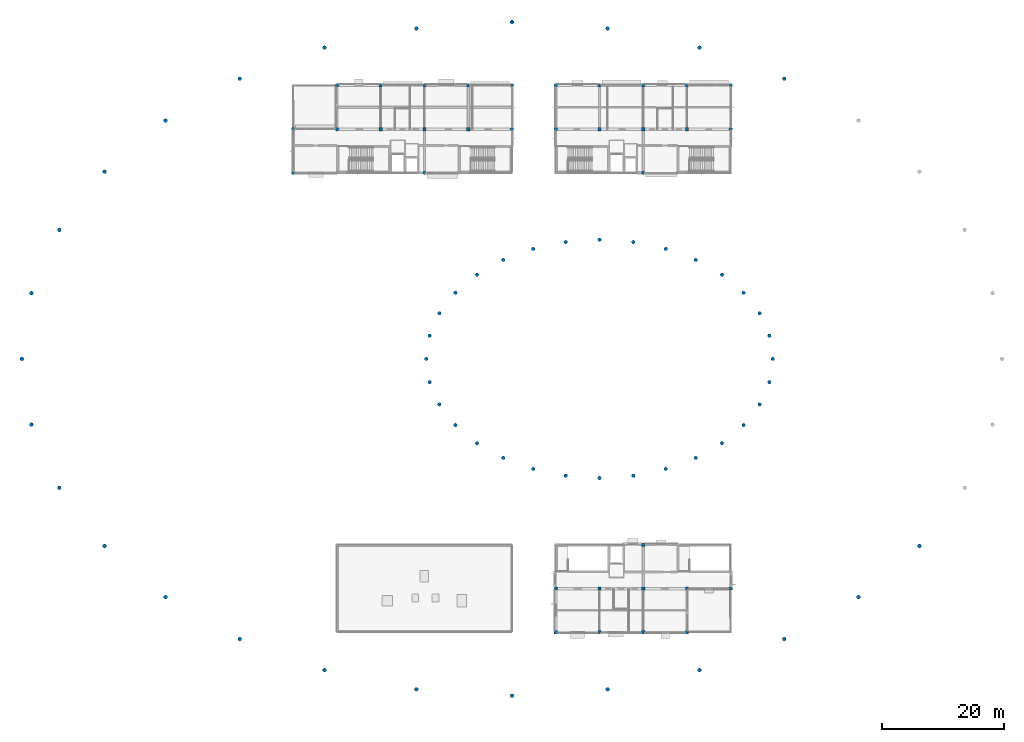
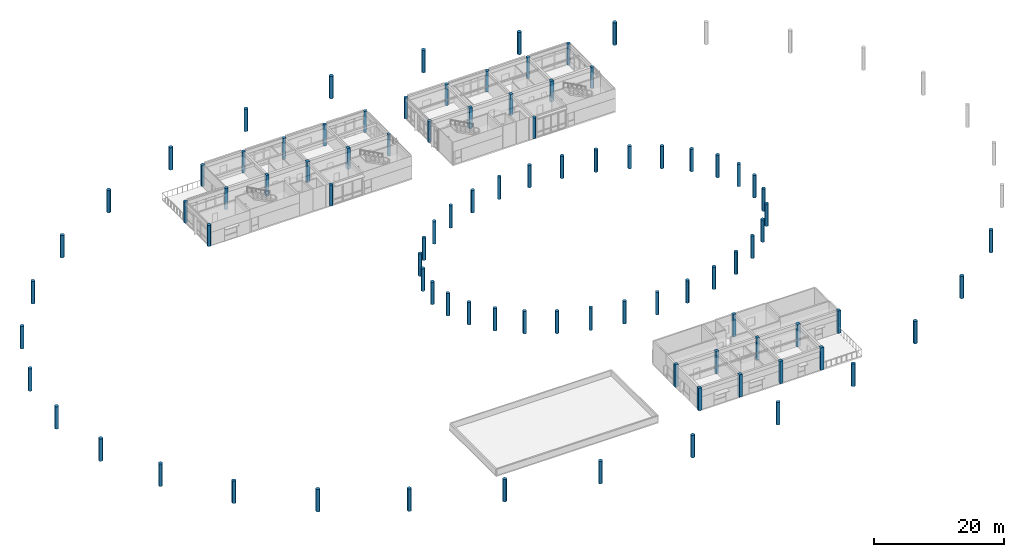
# One storey, part 1 of 29: 91 columns.
"""IFC4 building model written with IfcOpenShell, lengths in metres."""

from ifc_helpers import new_model, si_unit, direction, frame, origin, origin_2d, place, context, subcontext, project, spatial, rectangle, circle, extrude, material, material_profile, profile_set, type_object, element, save


model = new_model("IFC4")

# Units and contexts
model_context = context("Model", 3, precision=1e-05, world=origin(), true_north=direction((0.0, 1.0)))
body_context = subcontext(model_context, "Body", "Model", "MODEL_VIEW")
ifc_project = project(units=[si_unit("LENGTHUNIT", "METRE"), si_unit("AREAUNIT", "SQUARE_METRE"), si_unit("VOLUMEUNIT", "CUBIC_METRE"), si_unit("PLANEANGLEUNIT", "RADIAN"), si_unit("MASSUNIT", "GRAM", prefix="KILO")], contexts=[model_context])

# Site, building, storey
site_placement = place(None, origin())
site = spatial("IfcSite", under=ifc_project, at=site_placement, CompositionType="ELEMENT")
building_placement = place(site_placement, origin())
building = spatial("IfcBuilding", under=site, at=building_placement, Name="Namkhue Oval Health Centre", CompositionType="ELEMENT")
storey_placement = place(building_placement, frame((0.0, 0.0, 18.0)))
storey = spatial("IfcBuildingStorey", under=building, at=storey_placement, Name="L04", CompositionType="ELEMENT", Elevation=18.0)

# Columns
ifc_material = material(Name="Reinforced concrete C35/45 (TCVN B40)", Category="concrete")
ifc_material_profile_1 = material_profile(ifc_material, rectangle(XDim=0.550048828125, YDim=0.550048828125, at=origin_2d()), Name="RC 550x550")
ifc_profile_set_1 = profile_set([ifc_material_profile_1], Name="Reinforced concrete C35/45 (TCVN B40)")
column_type_1 = type_object("IfcColumnType", Name="RC COLUMN 550X550 EXT", PredefinedType="COLUMN", material=ifc_profile_set_1)
for number, where, z_axis, x_axis, name in (
    (1, (93.60009765625, 14.39990234375, 0.0), (0.0, 0.0, 1.0), (1.0, 0.0, 0.0), "Volume V5 L04 Column 14/C"),
    (2, (93.60009765625, 21.60009765625, 0.0), (0.0, 0.0, 1.0), (1.0, 0.0, 0.0), "Volume V5 L04 Column 14/D"),
    (3, (100.800048828125, 14.39990234375, 0.0), (0.0, 0.0, 1.0), (1.0, 0.0, 0.0), "Volume V5 L04 Column 15/C"),
    (4, (108.0, 14.39990234375, 0.0), (0.0, 0.0, 1.0), (1.0, 0.0, 0.0), "Volume V5 L04 Column 16/C"),
    (5, (108.0, 28.800048828125, 0.0), (0.0, 0.0, 1.0), (1.0, 0.0, 0.0), "Volume V5 L04 Column 16/E"),
    (6, (115.199951171875, 14.39990234375, 0.0), (0.0, 0.0, 1.0), (1.0, 0.0, 0.0), "Volume V5 L04 Column 17/C"),
    (7, (115.199951171875, 21.60009765625, 0.0), (0.0, 0.0, 1.0), (1.0, 0.0, 0.0), "Volume V5 L04 Column 17/D"),
    (8, (122.39990234375, 21.60009765625, 0.0), (0.0, 0.0, 1.0), (1.0, 0.0, 0.0), "Volume V5 L04 Column 18/D"),
):
    element("IfcColumn", number, at=place(storey_placement, frame(where, z_axis=z_axis, x_axis=x_axis)), inside=storey, type_object=column_type_1, Name=name, PredefinedType="COLUMN", context=body_context, shape_type="SweptSolid", body=[
        extrude(rectangle(XDim=0.550048828125, YDim=0.550048828125, at=origin_2d()), origin(), (0.0, 0.0, 1.0), 4.199951171875),
    ])
ifc_material_profile_2 = material_profile(ifc_material, rectangle(XDim=0.550048828125, YDim=0.550048828125, at=origin_2d()), Name="RC 550x550")
ifc_profile_set_2 = profile_set([ifc_material_profile_2], Name="Reinforced concrete C35/45 (TCVN B40)")
column_type_2 = type_object("IfcColumnType", Name="RC COLUMN 550X550 INT", PredefinedType="COLUMN", material=ifc_profile_set_2)
for number, where, z_axis, x_axis, name in (
    (9, (64.800048828125, 97.199951171875, 0.0), (0.0, 0.0, 1.0), (1.0, 0.0, 0.0), "Volume V2 L04 Column 10/O"),
    (10, (72.0, 97.199951171875, 0.0), (0.0, 0.0, 1.0), (1.0, 0.0, 0.0), "Volume V2 L04 Column 11/O"),
    (11, (79.199951171875, 97.199951171875, 0.0), (0.0, 0.0, 1.0), (1.0, 0.0, 0.0), "Volume V2 L04 Column 12/O"),
):
    element("IfcColumn", number, at=place(storey_placement, frame(where, z_axis=z_axis, x_axis=x_axis)), inside=storey, type_object=column_type_2, Name=name, PredefinedType="COLUMN", context=body_context, shape_type="SweptSolid", body=[
        extrude(rectangle(XDim=0.550048828125, YDim=0.550048828125, at=origin_2d()), origin(), (0.0, 0.0, 1.0), 3.93994140625),
    ])
for number, where, z_axis, x_axis, name in (
    (12, (100.800048828125, 97.199951171875, 0.0), (0.0, 0.0, 1.0), (1.0, 0.0, 0.0), "Volume V3 L04 Column 15/O"),
    (13, (108.0, 97.199951171875, 0.0), (0.0, 0.0, 1.0), (1.0, 0.0, 0.0), "Volume V3 L04 Column 16/O"),
    (14, (115.199951171875, 97.199951171875, 0.0), (0.0, 0.0, 1.0), (1.0, 0.0, 0.0), "Volume V3 L04 Column 17/O"),
):
    element("IfcColumn", number, at=place(storey_placement, frame(where, z_axis=z_axis, x_axis=x_axis)), inside=storey, type_object=column_type_2, Name=name, PredefinedType="COLUMN", context=body_context, shape_type="SweptSolid", body=[
        extrude(rectangle(XDim=0.550048828125, YDim=0.550048828125, at=origin_2d()), origin(), (0.0, 0.0, 1.0), 3.9150390625),
    ])
for number, where, z_axis, x_axis, name in (
    (15, (100.800048828125, 21.60009765625, 0.0), (0.0, 0.0, 1.0), (1.0, 0.0, 0.0), "Volume V5 L04 Column 15/D"),
    (16, (108.0, 21.60009765625, 0.0), (0.0, 0.0, 1.0), (1.0, 0.0, 0.0), "Volume V5 L04 Column 16/D"),
):
    element("IfcColumn", number, at=place(storey_placement, frame(where, z_axis=z_axis, x_axis=x_axis)), inside=storey, type_object=column_type_2, Name=name, PredefinedType="COLUMN", context=body_context, shape_type="SweptSolid", body=[
        extrude(rectangle(XDim=0.550048828125, YDim=0.550048828125, at=origin_2d()), origin(), (0.0, 0.0, 1.0), 4.199951171875),
    ])
ifc_material_profile_3 = material_profile(ifc_material, circle(Radius=0.300048828125, at=origin_2d()), Name="RC D600")
ifc_profile_set_3 = profile_set([ifc_material_profile_3], Name="Reinforced concrete C35/45 (TCVN B40)")
column_type_3 = type_object("IfcColumnType", Name="RC COLUMN D600 EXT", PredefinedType="COLUMN", material=ifc_profile_set_3)
for number, where, z_axis, x_axis, name in (
    (17, (50.39990234375, 90.0, 0.0), (0.0, 0.0, 1.0), (1.0, 0.0, 0.0), "Volume V2 L04 Column 8/N"),
    (18, (50.39990234375, 97.199951171875, 0.0), (0.0, 0.0, 1.0), (1.0, 0.0, 0.0), "Volume V2 L04 Column 8/O"),
):
    element("IfcColumn", number, at=place(storey_placement, frame(where, z_axis=z_axis, x_axis=x_axis)), inside=storey, type_object=column_type_3, Name=name, PredefinedType="COLUMN", context=body_context, shape_type="SweptSolid", body=[
        extrude(circle(Radius=0.300048828125, at=origin_2d()), origin(), (0.0, 0.0, 1.0), 3.968017578125),
    ])
for number, where, z_axis, x_axis, name in (
    (19, (57.60009765625, 97.199951171875, 0.0), (0.0, 0.0, 1.0), (1.0, 0.0, 0.0), "Volume V2 L04 Column 9/O"),
    (20, (57.60009765625, 104.39990234375, 0.0), (0.0, 0.0, 1.0), (1.0, 0.0, 0.0), "Volume V2 L04 Column 9/P"),
    (21, (64.800048828125, 104.39990234375, 0.0), (0.0, 0.0, 1.0), (1.0, 0.0, 0.0), "Volume V2 L04 Column 10/P"),
    (22, (72.0, 90.0, 0.0), (0.0, 0.0, 1.0), (1.0, 0.0, 0.0), "Volume V2 L04 Column 11/N"),
    (23, (72.0, 104.39990234375, 0.0), (0.0, 0.0, 1.0), (1.0, 0.0, 0.0), "Volume V2 L04 Column 11/P"),
    (24, (79.199951171875, 104.39990234375, 0.0), (0.0, 0.0, 1.0), (1.0, 0.0, 0.0), "Volume V2 L04 Column 12/P"),
    (25, (86.39990234375, 97.199951171875, 0.0), (0.0, 0.0, 1.0), (1.0, 0.0, 0.0), "Volume V2 L04 Column 13/O"),
    (26, (86.39990234375, 104.39990234375, 0.0), (0.0, 0.0, 1.0), (1.0, 0.0, 0.0), "Volume V2 L04 Column 13/P"),
):
    element("IfcColumn", number, at=place(storey_placement, frame(where, z_axis=z_axis, x_axis=x_axis)), inside=storey, type_object=column_type_3, Name=name, PredefinedType="COLUMN", context=body_context, shape_type="SweptSolid", body=[
        extrude(circle(Radius=0.300048828125, at=origin_2d()), origin(), (0.0, 0.0, 1.0), 3.93994140625),
    ])
for number, where, z_axis, x_axis, name in (
    (27, (93.60009765625, 97.199951171875, 0.0), (0.0, 0.0, 1.0), (1.0, 0.0, 0.0), "Volume V3 L04 Column 14/O"),
    (28, (93.60009765625, 104.39990234375, 0.0), (0.0, 0.0, 1.0), (1.0, 0.0, 0.0), "Volume V3 L04 Column 14/P"),
    (29, (100.800048828125, 104.39990234375, 0.0), (0.0, 0.0, 1.0), (1.0, 0.0, 0.0), "Volume V3 L04 Column 15/P"),
    (30, (108.0, 90.0, 0.0), (0.0, 0.0, 1.0), (1.0, 0.0, 0.0), "Volume V3 L04 Column 16/N"),
    (31, (108.0, 104.39990234375, 0.0), (0.0, 0.0, 1.0), (1.0, 0.0, 0.0), "Volume V3 L04 Column 16/P"),
    (32, (115.199951171875, 104.39990234375, 0.0), (0.0, 0.0, 1.0), (1.0, 0.0, 0.0), "Volume V3 L04 Column 17/P"),
    (33, (122.39990234375, 97.199951171875, 0.0), (0.0, 0.0, 1.0), (1.0, 0.0, 0.0), "Volume V3 L04 Column 18/O"),
):
    element("IfcColumn", number, at=place(storey_placement, frame(where, z_axis=z_axis, x_axis=x_axis)), inside=storey, type_object=column_type_3, Name=name, PredefinedType="COLUMN", context=body_context, shape_type="SweptSolid", body=[
        extrude(circle(Radius=0.300048828125, at=origin_2d()), origin(), (0.0, 0.0, 1.0), 3.9150390625),
    ])
column_placement = place(storey_placement, frame((122.39990234375, 104.39990234375, 0.0), z_axis=(0.0, 0.0, 1.0), x_axis=(1.0, 0.0, 0.0)))
element("IfcColumn", 34, at=column_placement, inside=storey, type_object=column_type_3, Name="Volume V3 L04 Column 18/P", PredefinedType="COLUMN", context=body_context, shape_type="SweptSolid", body=[
    extrude(circle(Radius=0.300048828125, at=origin_2d()), origin(), (0.0, 0.0, 1.0), 3.951904296875),
])
for number, where, z_axis, x_axis, name in (
    (35, (129.31201171875, 59.39990234375, 0.0), (0.0, 0.0, 1.0), (1.0, 0.0, 0.0), "Gridshell IR Colonnade Column 1 L04"),
    (36, (128.76416015625, 63.22412109375, 0.0), (0.0, 0.0, 1.0), (1.0, 0.0, 0.0), "Gridshell IR Colonnade Column 2 L04"),
    (37, (127.1416015625, 66.9013671875, 0.0), (0.0, 0.0, 1.0), (1.0, 0.0, 0.0), "Gridshell IR Colonnade Column 3 L04"),
    (38, (124.5068359375, 70.290283203125, 0.0), (0.0, 0.0, 1.0), (1.0, 0.0, 0.0), "Gridshell IR Colonnade Column 4 L04"),
    (39, (120.9609375, 73.2607421875, 0.0), (0.0, 0.0, 1.0), (1.0, 0.0, 0.0), "Gridshell IR Colonnade Column 5 L04"),
    (40, (116.640380859375, 75.698486328125, 0.0), (0.0, 0.0, 1.0), (1.0, 0.0, 0.0), "Gridshell IR Colonnade Column 6 L04"),
    (41, (111.711181640625, 77.509765625, 0.0), (0.0, 0.0, 1.0), (1.0, 0.0, 0.0), "Gridshell IR Colonnade Column 7 L04"),
    (42, (106.3623046875, 78.625244140625, 0.0), (0.0, 0.0, 1.0), (1.0, 0.0, 0.0), "Gridshell IR Colonnade Column 8 L04"),
    (43, (100.800048828125, 79.001953125, 0.0), (0.0, 0.0, 1.0), (1.0, 0.0, 0.0), "Gridshell IR Colonnade Column 9 L04"),
    (44, (95.237548828125, 78.625244140625, 0.0), (0.0, 0.0, 1.0), (1.0, 0.0, 0.0), "Gridshell IR Colonnade Column 10 L04"),
    (45, (89.888916015625, 77.509765625, 0.0), (0.0, 0.0, 1.0), (1.0, 0.0, 0.0), "Gridshell IR Colonnade Column 11 L04"),
    (46, (84.95947265625, 75.698486328125, 0.0), (0.0, 0.0, 1.0), (1.0, 0.0, 0.0), "Gridshell IR Colonnade Column 12 L04"),
    (47, (80.638916015625, 73.2607421875, 0.0), (0.0, 0.0, 1.0), (1.0, 0.0, 0.0), "Gridshell IR Colonnade Column 13 L04"),
    (48, (77.093017578125, 70.290283203125, 0.0), (0.0, 0.0, 1.0), (1.0, 0.0, 0.0), "Gridshell IR Colonnade Column 14 L04"),
    (49, (74.458251953125, 66.9013671875, 0.0), (0.0, 0.0, 1.0), (1.0, 0.0, 0.0), "Gridshell IR Colonnade Column 15 L04"),
    (50, (72.8359375, 63.22412109375, 0.0), (0.0, 0.0, 1.0), (1.0, 0.0, 0.0), "Gridshell IR Colonnade Column 16 L04"),
    (51, (72.2880859375, 59.39990234375, 0.0), (0.0, 0.0, 1.0), (1.0, 0.0, 0.0), "Gridshell IR Colonnade Column 17 L04"),
    (52, (72.8359375, 55.575927734375, 0.0), (0.0, 0.0, 1.0), (1.0, 0.0, 0.0), "Gridshell IR Colonnade Column 18 L04"),
    (53, (74.458251953125, 51.898681640625, 0.0), (0.0, 0.0, 1.0), (1.0, 0.0, 0.0), "Gridshell IR Colonnade Column 19 L04"),
    (54, (77.093017578125, 48.509765625, 0.0), (0.0, 0.0, 1.0), (1.0, 0.0, 0.0), "Gridshell IR Colonnade Column 20 L04"),
    (55, (80.638916015625, 45.539306640625, 0.0), (0.0, 0.0, 1.0), (1.0, 0.0, 0.0), "Gridshell IR Colonnade Column 21 L04"),
    (56, (84.95947265625, 43.1015625, 0.0), (0.0, 0.0, 1.0), (1.0, 0.0, 0.0), "Gridshell IR Colonnade Column 22 L04"),
    (57, (89.888916015625, 41.2900390625, 0.0), (0.0, 0.0, 1.0), (1.0, 0.0, 0.0), "Gridshell IR Colonnade Column 23 L04"),
    (58, (95.237548828125, 40.174560546875, 0.0), (0.0, 0.0, 1.0), (1.0, 0.0, 0.0), "Gridshell IR Colonnade Column 24 L04"),
    (59, (100.800048828125, 39.798095703125, 0.0), (0.0, 0.0, 1.0), (1.0, 0.0, 0.0), "Gridshell IR Colonnade Column 25 L04"),
    (60, (106.3623046875, 40.174560546875, 0.0), (0.0, 0.0, 1.0), (1.0, 0.0, 0.0), "Gridshell IR Colonnade Column 26 L04"),
    (61, (111.711181640625, 41.2900390625, 0.0), (0.0, 0.0, 1.0), (1.0, 0.0, 0.0), "Gridshell IR Colonnade Column 27 L04"),
    (62, (116.640380859375, 43.1015625, 0.0), (0.0, 0.0, 1.0), (1.0, 0.0, 0.0), "Gridshell IR Colonnade Column 28 L04"),
    (63, (120.9609375, 45.539306640625, 0.0), (0.0, 0.0, 1.0), (1.0, 0.0, 0.0), "Gridshell IR Colonnade Column 29 L04"),
    (64, (124.5068359375, 48.509765625, 0.0), (0.0, 0.0, 1.0), (1.0, 0.0, 0.0), "Gridshell IR Colonnade Column 30 L04"),
    (65, (127.1416015625, 51.898681640625, 0.0), (0.0, 0.0, 1.0), (1.0, 0.0, 0.0), "Gridshell IR Colonnade Column 31 L04"),
    (66, (128.76416015625, 55.575927734375, 0.0), (0.0, 0.0, 1.0), (1.0, 0.0, 0.0), "Gridshell IR Colonnade Column 32 L04"),
):
    element("IfcColumn", number, at=place(storey_placement, frame(where, z_axis=z_axis, x_axis=x_axis)), inside=storey, type_object=column_type_3, Name=name, PredefinedType="COLUMN", context=body_context, shape_type="SweptSolid", body=[
        extrude(circle(Radius=0.300048828125, at=origin_2d()), origin(), (0.0, 0.0, 1.0), 4.199951171875),
    ])
ifc_material_profile_4 = material_profile(ifc_material, circle(Radius=0.324951171875, at=origin_2d()), Name="RC D650")
ifc_profile_set_4 = profile_set([ifc_material_profile_4], Name="Reinforced concrete C35/45 (TCVN B40)")
column_type_4 = type_object("IfcColumnType", Name="RC COLUMN D650 EXT", PredefinedType="COLUMN", material=ifc_profile_set_4)
for number, where, z_axis, x_axis, name in (
    (67, (131.201171875, 105.49658203125, 0.0), (0.0, 0.0, 1.0), (1.0, 0.0, 0.0), "Gridshell OR Colonnade Column 6 L04"),
    (68, (117.259521484375, 110.619873046875, 0.0), (0.0, 0.0, 1.0), (1.0, 0.0, 0.0), "Gridshell OR Colonnade Column 7 L04"),
    (69, (102.132080078125, 113.774658203125, 0.0), (0.0, 0.0, 1.0), (1.0, 0.0, 0.0), "Gridshell OR Colonnade Column 8 L04"),
    (70, (86.39990234375, 114.840087890625, 0.0), (0.0, 0.0, 1.0), (1.0, 0.0, 0.0), "Gridshell OR Colonnade Column 9 L04"),
    (71, (70.66796875, 113.774658203125, 0.0), (0.0, 0.0, 1.0), (1.0, 0.0, 0.0), "Gridshell OR Colonnade Column 10 L04"),
    (72, (55.54052734375, 110.619873046875, 0.0), (0.0, 0.0, 1.0), (1.0, 0.0, 0.0), "Gridshell OR Colonnade Column 11 L04"),
    (73, (41.598876953125, 105.49658203125, 0.0), (0.0, 0.0, 1.0), (1.0, 0.0, 0.0), "Gridshell OR Colonnade Column 12 L04"),
    (74, (29.37890625, 98.60205078125, 0.0), (0.0, 0.0, 1.0), (1.0, 0.0, 0.0), "Gridshell OR Colonnade Column 13 L04"),
    (75, (19.350341796875, 90.200927734375, 0.0), (0.0, 0.0, 1.0), (1.0, 0.0, 0.0), "Gridshell OR Colonnade Column 14 L04"),
    (76, (11.8984375, 80.615966796875, 0.0), (0.0, 0.0, 1.0), (1.0, 0.0, 0.0), "Gridshell OR Colonnade Column 15 L04"),
    (77, (7.3095703125, 70.2158203125, 0.0), (0.0, 0.0, 1.0), (1.0, 0.0, 0.0), "Gridshell OR Colonnade Column 16 L04"),
    (78, (5.760009765625, 59.39990234375, 0.0), (0.0, 0.0, 1.0), (1.0, 0.0, 0.0), "Gridshell OR Colonnade Column 17 L04"),
    (79, (7.3095703125, 48.584228515625, 0.0), (0.0, 0.0, 1.0), (1.0, 0.0, 0.0), "Gridshell OR Colonnade Column 18 L04"),
    (80, (11.8984375, 38.18408203125, 0.0), (0.0, 0.0, 1.0), (1.0, 0.0, 0.0), "Gridshell OR Colonnade Column 19 L04"),
    (81, (19.350341796875, 28.59912109375, 0.0), (0.0, 0.0, 1.0), (1.0, 0.0, 0.0), "Gridshell OR Colonnade Column 20 L04"),
    (82, (29.37890625, 20.197998046875, 0.0), (0.0, 0.0, 1.0), (1.0, 0.0, 0.0), "Gridshell OR Colonnade Column 21 L04"),
    (83, (41.598876953125, 13.30322265625, 0.0), (0.0, 0.0, 1.0), (1.0, 0.0, 0.0), "Gridshell OR Colonnade Column 22 L04"),
    (84, (55.54052734375, 8.18017578125, 0.0), (0.0, 0.0, 1.0), (1.0, 0.0, 0.0), "Gridshell OR Colonnade Column 23 L04"),
    (85, (70.66796875, 5.025146484375, 0.0), (0.0, 0.0, 1.0), (1.0, 0.0, 0.0), "Gridshell OR Colonnade Column 24 L04"),
    (86, (86.39990234375, 3.9599609375, 0.0), (0.0, 0.0, 1.0), (1.0, 0.0, 0.0), "Gridshell OR Colonnade Column 25 L04"),
    (87, (102.132080078125, 5.025146484375, 0.0), (0.0, 0.0, 1.0), (1.0, 0.0, 0.0), "Gridshell OR Colonnade Column 26 L04"),
    (88, (117.259521484375, 8.18017578125, 0.0), (0.0, 0.0, 1.0), (1.0, 0.0, 0.0), "Gridshell OR Colonnade Column 27 L04"),
    (89, (131.201171875, 13.30322265625, 0.0), (0.0, 0.0, 1.0), (1.0, 0.0, 0.0), "Gridshell OR Colonnade Column 28 L04"),
    (90, (143.421142578125, 20.197998046875, 0.0), (0.0, 0.0, 1.0), (1.0, 0.0, 0.0), "Gridshell OR Colonnade Column 29 L04"),
    (91, (153.44970703125, 28.59912109375, 0.0), (0.0, 0.0, 1.0), (1.0, 0.0, 0.0), "Gridshell OR Colonnade Column 30 L04"),
):
    element("IfcColumn", number, at=place(storey_placement, frame(where, z_axis=z_axis, x_axis=x_axis)), inside=storey, type_object=column_type_4, Name=name, PredefinedType="COLUMN", context=body_context, shape_type="SweptSolid", body=[
        extrude(circle(Radius=0.324951171875, at=origin_2d()), origin(), (0.0, 0.0, 1.0), 4.199951171875),
    ])

save(model, "model.ifc")
